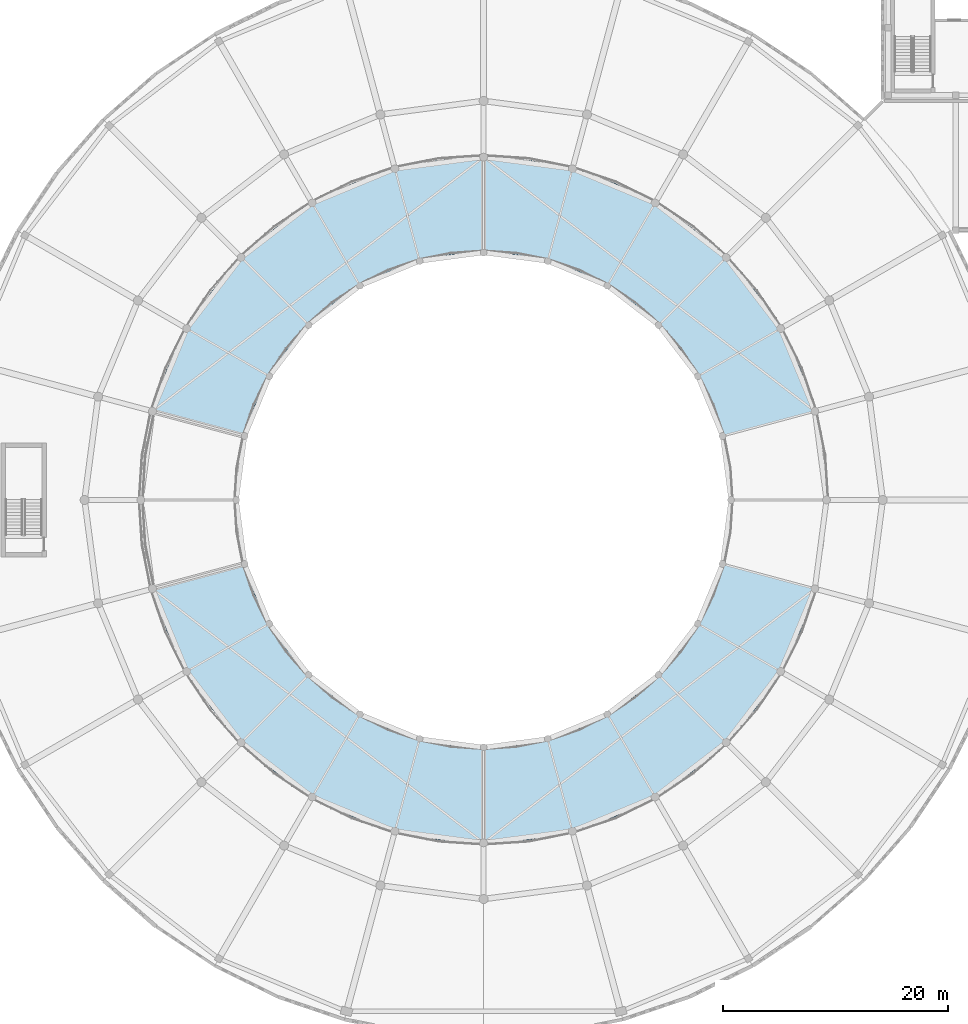
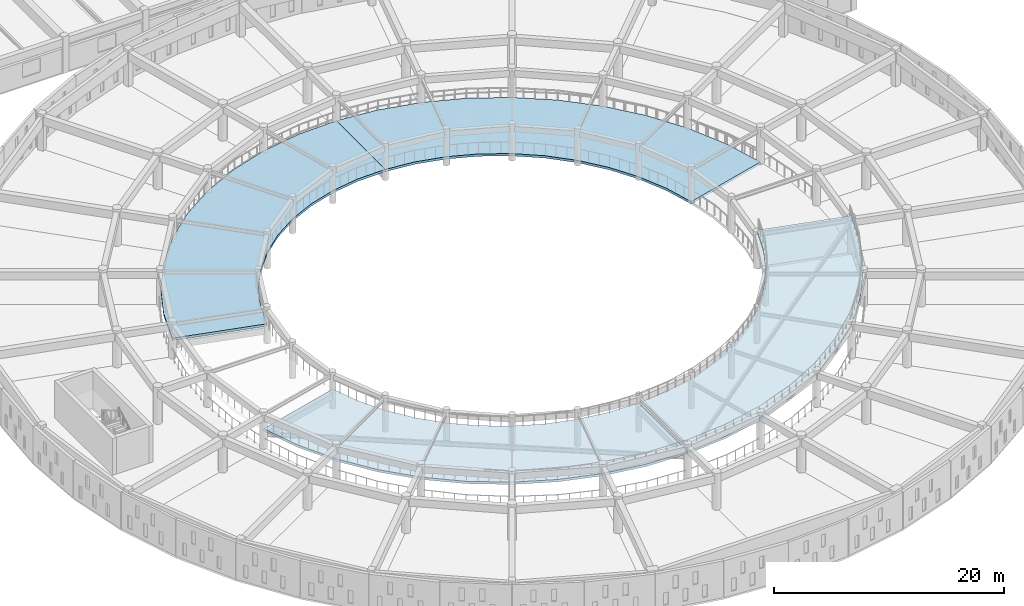
# One storey, part 76 of 98: 4 slabs.
"""IFC4 building model written with IfcOpenShell, lengths in metres."""

from ifc_helpers import new_model, si_unit, direction, frame, origin, place, context, subcontext, project, spatial, polygons, material, layer, layer_set, type_object, element, save


model = new_model("IFC4")

# Units and contexts
model_context = context("Model", 3, precision=1e-05, world=origin(), true_north=direction((0.0, 1.0)))
body_context = subcontext(model_context, "Body", "Model", "MODEL_VIEW")
ifc_project = project(units=[si_unit("LENGTHUNIT", "METRE"), si_unit("AREAUNIT", "SQUARE_METRE"), si_unit("VOLUMEUNIT", "CUBIC_METRE"), si_unit("PLANEANGLEUNIT", "RADIAN"), si_unit("MASSUNIT", "GRAM", prefix="KILO")], contexts=[model_context])

# Site, building, storey
site_placement = place(None, origin())
site = spatial("IfcSite", under=ifc_project, at=site_placement, CompositionType="ELEMENT")
building_placement = place(site_placement, origin())
building = spatial("IfcBuilding", under=site, at=building_placement, Name="Larkveld Mobility Hub", CompositionType="ELEMENT")
storey_placement = place(building_placement, frame((0.0, 0.0, 4.5)))
storey = spatial("IfcBuildingStorey", under=building, at=storey_placement, Name="L01", CompositionType="ELEMENT", Elevation=4.5)

# Slabs
ifc_material = material(Name="Concrete C40/50", Category="concrete")
ifc_layer = layer(ifc_material, 0.25, Name="Concrete C40/50", Category="concrete")
ifc_layer_set = layer_set([ifc_layer], Name="Concrete C40/50")
slab_type = type_object("IfcSlabType", Name="SL-RMP-HEL-250", PredefinedType="FLOOR", material=ifc_layer_set)
slab_1_placement = place(storey_placement, frame((0.0, 0.0, -4.5)))
element("IfcSlab", 1, at=slab_1_placement, inside=storey, type_object=slab_type, Name="Car park helical vehicle ramp slab R03-R13 (L01)", PredefinedType="FLOOR", context=body_context, shape_type="Tessellation", body=[
    polygons([(77.4609375, 55.89404296875, 4.5), (69.25, 53.694091796875, 4.5), (76.177978515625, 59.672119140625, 4.597900390625), (68.324951171875, 56.4189453125, 4.597900390625), (74.4140625, 63.25, 4.695068359375), (67.052978515625, 59.0, 4.695068359375), (72.197021484375, 66.56689453125, 4.7919921875), (65.4541015625, 61.39306640625, 4.7919921875), (69.56689453125, 69.56689453125, 4.889892578125), (63.555908203125, 63.555908203125, 4.889892578125), (66.56689453125, 72.197021484375, 4.987060546875), (61.39306640625, 65.4541015625, 4.987060546875), (63.25, 74.4140625, 5.0849609375), (59.0, 67.052978515625, 5.0849609375), (59.672119140625, 76.177978515625, 5.181884765625), (56.4189453125, 68.324951171875, 5.181884765625), (55.89404296875, 77.4609375, 5.280029296875), (53.694091796875, 69.25, 5.280029296875), (51.98095703125, 78.239013671875, 5.376953125), (50.8720703125, 69.81201171875, 5.376953125), (48.0, 78.5, 5.47509765625), (48.0, 70.0, 5.47509765625), (77.4609375, 55.89404296875, 4.25), (69.25, 53.694091796875, 4.25), (76.177978515625, 59.672119140625, 4.347900390625), (68.324951171875, 56.4189453125, 4.347900390625), (74.4140625, 63.25, 4.445068359375), (67.052978515625, 59.0, 4.445068359375), (72.197021484375, 66.56689453125, 4.5419921875), (65.4541015625, 61.39306640625, 4.5419921875), (69.56689453125, 69.56689453125, 4.639892578125), (63.555908203125, 63.555908203125, 4.639892578125), (66.56689453125, 72.197021484375, 4.737060546875), (61.39306640625, 65.4541015625, 4.737060546875), (63.25, 74.4140625, 4.8349609375), (59.0, 67.052978515625, 4.8349609375), (59.672119140625, 76.177978515625, 4.931884765625), (56.4189453125, 68.324951171875, 4.931884765625), (55.89404296875, 77.4609375, 5.030029296875), (53.694091796875, 69.25, 5.030029296875), (51.98095703125, 78.239013671875, 5.126953125), (50.8720703125, 69.81201171875, 5.126953125), (48.0, 78.5, 5.22509765625), (48.0, 70.0, 5.22509765625)], [[[1, 3, 4]], [[1, 4, 2]], [[23, 26, 25]], [[23, 24, 26]], [[1, 23, 25]], [[1, 25, 3]], [[2, 4, 26]], [[2, 26, 24]], [[3, 5, 6]], [[3, 6, 4]], [[25, 28, 27]], [[25, 26, 28]], [[3, 25, 27]], [[3, 27, 5]], [[4, 6, 28]], [[4, 28, 26]], [[5, 7, 8]], [[5, 8, 6]], [[27, 30, 29]], [[27, 28, 30]], [[5, 27, 29]], [[5, 29, 7]], [[6, 8, 30]], [[6, 30, 28]], [[7, 9, 10]], [[7, 10, 8]], [[29, 32, 31]], [[29, 30, 32]], [[7, 29, 31]], [[7, 31, 9]], [[8, 10, 32]], [[8, 32, 30]], [[9, 11, 12]], [[9, 12, 10]], [[31, 34, 33]], [[31, 32, 34]], [[9, 31, 33]], [[9, 33, 11]], [[10, 12, 34]], [[10, 34, 32]], [[11, 13, 14]], [[11, 14, 12]], [[33, 36, 35]], [[33, 34, 36]], [[11, 33, 35]], [[11, 35, 13]], [[12, 14, 36]], [[12, 36, 34]], [[13, 15, 16]], [[13, 16, 14]], [[35, 38, 37]], [[35, 36, 38]], [[13, 35, 37]], [[13, 37, 15]], [[14, 16, 38]], [[14, 38, 36]], [[15, 17, 18]], [[15, 18, 16]], [[37, 40, 39]], [[37, 38, 40]], [[15, 37, 39]], [[15, 39, 17]], [[16, 18, 40]], [[16, 40, 38]], [[17, 19, 20]], [[17, 20, 18]], [[39, 42, 41]], [[39, 40, 42]], [[17, 39, 41]], [[17, 41, 19]], [[18, 20, 42]], [[18, 42, 40]], [[19, 21, 22]], [[19, 22, 20]], [[41, 44, 43]], [[41, 42, 44]], [[19, 41, 43]], [[19, 43, 21]], [[20, 22, 44]], [[20, 44, 42]], [[1, 2, 24]], [[1, 24, 23]], [[21, 43, 44]], [[21, 44, 22]]], closed=True),
])
slab_2_placement = place(storey_placement, frame((0.0, 0.0, -4.5)))
element("IfcSlab", 2, at=slab_2_placement, inside=storey, type_object=slab_type, Name="Car park helical vehicle ramp slab R13-R23 (L01)", PredefinedType="FLOOR", context=body_context, shape_type="Tessellation", body=[
    polygons([(48.0, 78.5, 5.47509765625), (48.0, 70.0, 5.47509765625), (44.01904296875, 78.239013671875, 5.572021484375), (45.1279296875, 69.81201171875, 5.572021484375), (40.10595703125, 77.4609375, 5.669921875), (42.305908203125, 69.25, 5.669921875), (36.327880859375, 76.177978515625, 5.76806640625), (39.5810546875, 68.324951171875, 5.76806640625), (32.75, 74.4140625, 5.864990234375), (37.0, 67.052978515625, 5.864990234375), (29.43310546875, 72.197021484375, 5.962890625), (34.60693359375, 65.4541015625, 5.962890625), (26.43310546875, 69.56689453125, 6.06005859375), (32.444091796875, 63.555908203125, 6.06005859375), (23.802978515625, 66.56689453125, 6.156982421875), (30.5458984375, 61.39306640625, 6.156982421875), (21.5859375, 63.25, 6.2548828125), (28.947021484375, 59.0, 6.2548828125), (19.822021484375, 59.672119140625, 6.35302734375), (27.675048828125, 56.4189453125, 6.35302734375), (18.5390625, 55.89404296875, 6.449951171875), (26.75, 53.694091796875, 6.449951171875), (48.0, 78.5, 5.22509765625), (48.0, 70.0, 5.22509765625), (44.01904296875, 78.239013671875, 5.322021484375), (45.1279296875, 69.81201171875, 5.322021484375), (40.10595703125, 77.4609375, 5.419921875), (42.305908203125, 69.25, 5.419921875), (36.327880859375, 76.177978515625, 5.51806640625), (39.5810546875, 68.324951171875, 5.51806640625), (32.75, 74.4140625, 5.614990234375), (37.0, 67.052978515625, 5.614990234375), (29.43310546875, 72.197021484375, 5.712890625), (34.60693359375, 65.4541015625, 5.712890625), (26.43310546875, 69.56689453125, 5.81005859375), (32.444091796875, 63.555908203125, 5.81005859375), (23.802978515625, 66.56689453125, 5.906982421875), (30.5458984375, 61.39306640625, 5.906982421875), (21.5859375, 63.25, 6.0048828125), (28.947021484375, 59.0, 6.0048828125), (19.822021484375, 59.672119140625, 6.10302734375), (27.675048828125, 56.4189453125, 6.10302734375), (18.5390625, 55.89404296875, 6.199951171875), (26.75, 53.694091796875, 6.199951171875)], [[[1, 3, 4]], [[1, 4, 2]], [[23, 26, 25]], [[23, 24, 26]], [[1, 23, 25]], [[1, 25, 3]], [[2, 4, 26]], [[2, 26, 24]], [[3, 5, 6]], [[3, 6, 4]], [[25, 28, 27]], [[25, 26, 28]], [[3, 25, 27]], [[3, 27, 5]], [[4, 6, 28]], [[4, 28, 26]], [[5, 7, 8]], [[5, 8, 6]], [[27, 30, 29]], [[27, 28, 30]], [[5, 27, 29]], [[5, 29, 7]], [[6, 8, 30]], [[6, 30, 28]], [[7, 9, 10]], [[7, 10, 8]], [[29, 32, 31]], [[29, 30, 32]], [[7, 29, 31]], [[7, 31, 9]], [[8, 10, 32]], [[8, 32, 30]], [[9, 11, 12]], [[9, 12, 10]], [[31, 34, 33]], [[31, 32, 34]], [[9, 31, 33]], [[9, 33, 11]], [[10, 12, 34]], [[10, 34, 32]], [[11, 13, 14]], [[11, 14, 12]], [[33, 36, 35]], [[33, 34, 36]], [[11, 33, 35]], [[11, 35, 13]], [[12, 14, 36]], [[12, 36, 34]], [[13, 15, 16]], [[13, 16, 14]], [[35, 38, 37]], [[35, 36, 38]], [[13, 35, 37]], [[13, 37, 15]], [[14, 16, 38]], [[14, 38, 36]], [[15, 17, 18]], [[15, 18, 16]], [[37, 40, 39]], [[37, 38, 40]], [[15, 37, 39]], [[15, 39, 17]], [[16, 18, 40]], [[16, 40, 38]], [[17, 19, 20]], [[17, 20, 18]], [[39, 42, 41]], [[39, 40, 42]], [[17, 39, 41]], [[17, 41, 19]], [[18, 20, 42]], [[18, 42, 40]], [[19, 21, 22]], [[19, 22, 20]], [[41, 44, 43]], [[41, 42, 44]], [[19, 41, 43]], [[19, 43, 21]], [[20, 22, 44]], [[20, 44, 42]], [[1, 2, 24]], [[1, 24, 23]], [[21, 43, 44]], [[21, 44, 22]]], closed=True),
])
slab_3_placement = place(storey_placement, frame((0.0, 0.0, -4.5)))
element("IfcSlab", 3, at=slab_3_placement, inside=storey, type_object=slab_type, Name="Car park helical vehicle ramp slab R27-R37 (L01)", PredefinedType="FLOOR", context=body_context, shape_type="Tessellation", body=[
    polygons([(18.5390625, 40.10595703125, 6.449951171875), (26.75, 42.305908203125, 6.449951171875), (19.822021484375, 36.327880859375, 6.548095703125), (27.675048828125, 39.5810546875, 6.548095703125), (21.5859375, 32.75, 6.64501953125), (28.947021484375, 37.0, 6.64501953125), (23.802978515625, 29.43310546875, 6.741943359375), (30.5458984375, 34.60693359375, 6.741943359375), (26.43310546875, 26.43310546875, 6.840087890625), (32.444091796875, 32.444091796875, 6.840087890625), (29.43310546875, 23.802978515625, 6.93798828125), (34.60693359375, 30.5458984375, 6.93798828125), (32.75, 21.5859375, 7.034912109375), (37.0, 28.947021484375, 7.034912109375), (36.327880859375, 19.822021484375, 7.133056640625), (39.5810546875, 27.675048828125, 7.133056640625), (40.10595703125, 18.5390625, 7.22998046875), (42.305908203125, 26.75, 7.22998046875), (44.01904296875, 17.760986328125, 7.326904296875), (45.1279296875, 26.18798828125, 7.326904296875), (48.0, 17.5, 7.425048828125), (48.0, 26.0, 7.425048828125), (18.5390625, 40.10595703125, 6.199951171875), (26.75, 42.305908203125, 6.199951171875), (19.822021484375, 36.327880859375, 6.298095703125), (27.675048828125, 39.5810546875, 6.298095703125), (21.5859375, 32.75, 6.39501953125), (28.947021484375, 37.0, 6.39501953125), (23.802978515625, 29.43310546875, 6.491943359375), (30.5458984375, 34.60693359375, 6.491943359375), (26.43310546875, 26.43310546875, 6.590087890625), (32.444091796875, 32.444091796875, 6.590087890625), (29.43310546875, 23.802978515625, 6.68798828125), (34.60693359375, 30.5458984375, 6.68798828125), (32.75, 21.5859375, 6.784912109375), (37.0, 28.947021484375, 6.784912109375), (36.327880859375, 19.822021484375, 6.883056640625), (39.5810546875, 27.675048828125, 6.883056640625), (40.10595703125, 18.5390625, 6.97998046875), (42.305908203125, 26.75, 6.97998046875), (44.01904296875, 17.760986328125, 7.076904296875), (45.1279296875, 26.18798828125, 7.076904296875), (48.0, 17.5, 7.175048828125), (48.0, 26.0, 7.175048828125)], [[[1, 3, 4]], [[1, 4, 2]], [[23, 26, 25]], [[23, 24, 26]], [[1, 23, 25]], [[1, 25, 3]], [[2, 4, 26]], [[2, 26, 24]], [[3, 5, 6]], [[3, 6, 4]], [[25, 28, 27]], [[25, 26, 28]], [[3, 25, 27]], [[3, 27, 5]], [[4, 6, 28]], [[4, 28, 26]], [[5, 7, 8]], [[5, 8, 6]], [[27, 30, 29]], [[27, 28, 30]], [[5, 27, 29]], [[5, 29, 7]], [[6, 8, 30]], [[6, 30, 28]], [[7, 9, 10]], [[7, 10, 8]], [[29, 32, 31]], [[29, 30, 32]], [[7, 29, 31]], [[7, 31, 9]], [[8, 10, 32]], [[8, 32, 30]], [[9, 11, 12]], [[9, 12, 10]], [[31, 34, 33]], [[31, 32, 34]], [[9, 31, 33]], [[9, 33, 11]], [[10, 12, 34]], [[10, 34, 32]], [[11, 13, 14]], [[11, 14, 12]], [[33, 36, 35]], [[33, 34, 36]], [[11, 33, 35]], [[11, 35, 13]], [[12, 14, 36]], [[12, 36, 34]], [[13, 15, 16]], [[13, 16, 14]], [[35, 38, 37]], [[35, 36, 38]], [[13, 35, 37]], [[13, 37, 15]], [[14, 16, 38]], [[14, 38, 36]], [[15, 17, 18]], [[15, 18, 16]], [[37, 40, 39]], [[37, 38, 40]], [[15, 37, 39]], [[15, 39, 17]], [[16, 18, 40]], [[16, 40, 38]], [[17, 19, 20]], [[17, 20, 18]], [[39, 42, 41]], [[39, 40, 42]], [[17, 39, 41]], [[17, 41, 19]], [[18, 20, 42]], [[18, 42, 40]], [[19, 21, 22]], [[19, 22, 20]], [[41, 44, 43]], [[41, 42, 44]], [[19, 41, 43]], [[19, 43, 21]], [[20, 22, 44]], [[20, 44, 42]], [[1, 2, 24]], [[1, 24, 23]], [[21, 43, 44]], [[21, 44, 22]]], closed=True),
])
slab_4_placement = place(storey_placement, frame((0.0, 0.0, -4.5)))
element("IfcSlab", 4, at=slab_4_placement, inside=storey, type_object=slab_type, Name="Car park helical vehicle ramp slab R37-R47 (L01)", PredefinedType="FLOOR", context=body_context, shape_type="Tessellation", body=[
    polygons([(48.0, 17.5, 7.425048828125), (48.0, 26.0, 7.425048828125), (51.98095703125, 17.760986328125, 7.52197265625), (50.8720703125, 26.18798828125, 7.52197265625), (55.89404296875, 18.5390625, 7.6201171875), (53.694091796875, 26.75, 7.6201171875), (59.672119140625, 19.822021484375, 7.718017578125), (56.4189453125, 27.675048828125, 7.718017578125), (63.25, 21.5859375, 7.81494140625), (59.0, 28.947021484375, 7.81494140625), (66.56689453125, 23.802978515625, 7.912109375), (61.39306640625, 30.5458984375, 7.912109375), (69.56689453125, 26.43310546875, 8.010009765625), (63.555908203125, 32.444091796875, 8.010009765625), (72.197021484375, 29.43310546875, 8.10693359375), (65.4541015625, 34.60693359375, 8.10693359375), (74.4140625, 32.75, 8.205078125), (67.052978515625, 37.0, 8.205078125), (76.177978515625, 36.327880859375, 8.302978515625), (68.324951171875, 39.5810546875, 8.302978515625), (77.4609375, 40.10595703125, 8.39990234375), (69.25, 42.305908203125, 8.39990234375), (48.0, 17.5, 7.175048828125), (48.0, 26.0, 7.175048828125), (51.98095703125, 17.760986328125, 7.27197265625), (50.8720703125, 26.18798828125, 7.27197265625), (55.89404296875, 18.5390625, 7.3701171875), (53.694091796875, 26.75, 7.3701171875), (59.672119140625, 19.822021484375, 7.468017578125), (56.4189453125, 27.675048828125, 7.468017578125), (63.25, 21.5859375, 7.56494140625), (59.0, 28.947021484375, 7.56494140625), (66.56689453125, 23.802978515625, 7.662109375), (61.39306640625, 30.5458984375, 7.662109375), (69.56689453125, 26.43310546875, 7.760009765625), (63.555908203125, 32.444091796875, 7.760009765625), (72.197021484375, 29.43310546875, 7.85693359375), (65.4541015625, 34.60693359375, 7.85693359375), (74.4140625, 32.75, 7.955078125), (67.052978515625, 37.0, 7.955078125), (76.177978515625, 36.327880859375, 8.052978515625), (68.324951171875, 39.5810546875, 8.052978515625), (77.4609375, 40.10595703125, 8.14990234375), (69.25, 42.305908203125, 8.14990234375)], [[[1, 3, 4]], [[1, 4, 2]], [[23, 26, 25]], [[23, 24, 26]], [[1, 23, 25]], [[1, 25, 3]], [[2, 4, 26]], [[2, 26, 24]], [[3, 5, 6]], [[3, 6, 4]], [[25, 28, 27]], [[25, 26, 28]], [[3, 25, 27]], [[3, 27, 5]], [[4, 6, 28]], [[4, 28, 26]], [[5, 7, 8]], [[5, 8, 6]], [[27, 30, 29]], [[27, 28, 30]], [[5, 27, 29]], [[5, 29, 7]], [[6, 8, 30]], [[6, 30, 28]], [[7, 9, 10]], [[7, 10, 8]], [[29, 32, 31]], [[29, 30, 32]], [[7, 29, 31]], [[7, 31, 9]], [[8, 10, 32]], [[8, 32, 30]], [[9, 11, 12]], [[9, 12, 10]], [[31, 34, 33]], [[31, 32, 34]], [[9, 31, 33]], [[9, 33, 11]], [[10, 12, 34]], [[10, 34, 32]], [[11, 13, 14]], [[11, 14, 12]], [[33, 36, 35]], [[33, 34, 36]], [[11, 33, 35]], [[11, 35, 13]], [[12, 14, 36]], [[12, 36, 34]], [[13, 15, 16]], [[13, 16, 14]], [[35, 38, 37]], [[35, 36, 38]], [[13, 35, 37]], [[13, 37, 15]], [[14, 16, 38]], [[14, 38, 36]], [[15, 17, 18]], [[15, 18, 16]], [[37, 40, 39]], [[37, 38, 40]], [[15, 37, 39]], [[15, 39, 17]], [[16, 18, 40]], [[16, 40, 38]], [[17, 19, 20]], [[17, 20, 18]], [[39, 42, 41]], [[39, 40, 42]], [[17, 39, 41]], [[17, 41, 19]], [[18, 20, 42]], [[18, 42, 40]], [[19, 21, 22]], [[19, 22, 20]], [[41, 44, 43]], [[41, 42, 44]], [[19, 41, 43]], [[19, 43, 21]], [[20, 22, 44]], [[20, 44, 42]], [[1, 2, 24]], [[1, 24, 23]], [[21, 43, 44]], [[21, 44, 22]]], closed=True),
])

save(model, "model.ifc")
